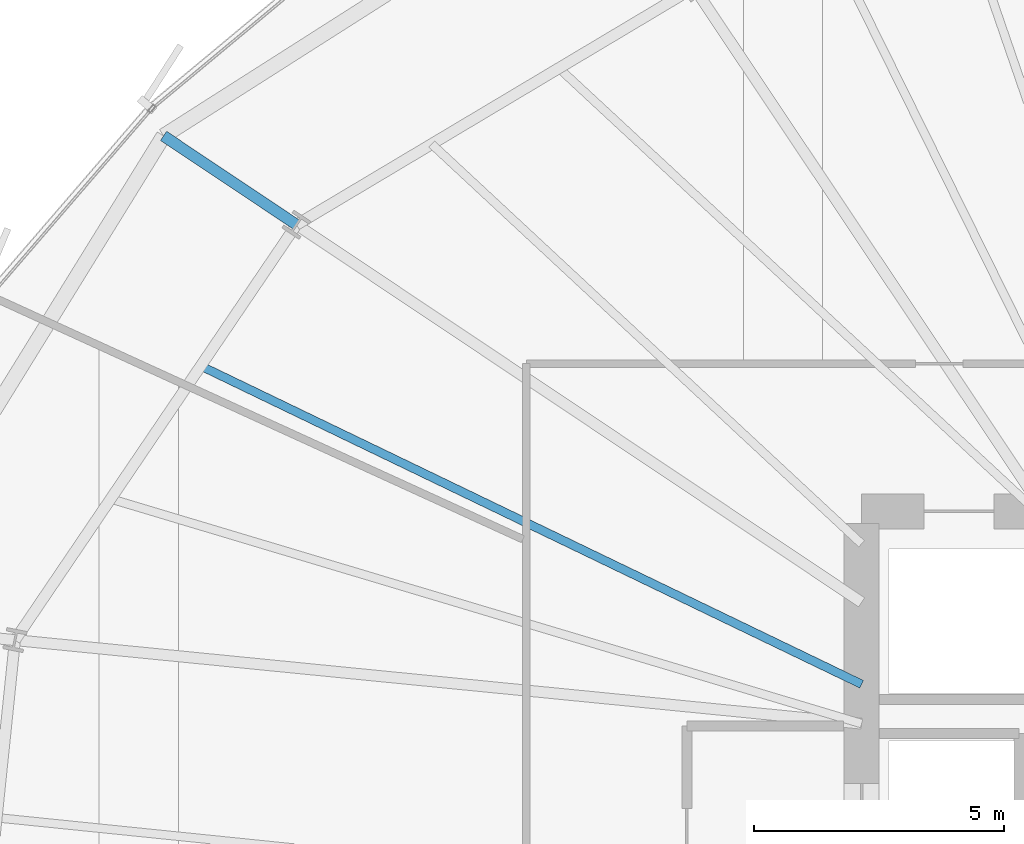
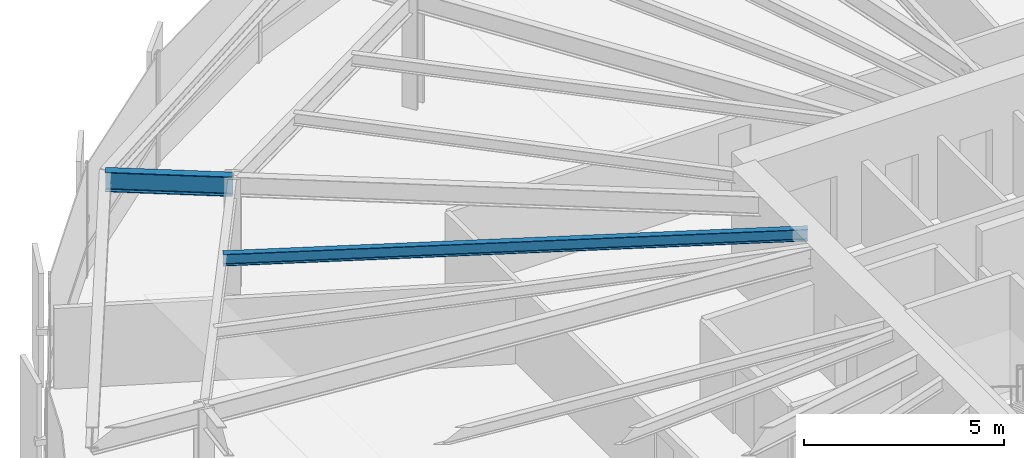
# One storey, part 17 of 35: 2 beams.
"""IFC4 building model written with IfcOpenShell, lengths in metres."""

from ifc_helpers import new_model, si_unit, direction, frame, origin, origin_2d, place, context, subcontext, project, spatial, i_section, extrude, source, transform, mapped, material, material_profile, profile_set, type_object, element, save


model = new_model("IFC4")

# Units and contexts
model_context = context("Model", 3, precision=1e-05, world=origin(), true_north=direction((0.0, 1.0)))
body_context = subcontext(model_context, "Body", "Model", "MODEL_VIEW")
ifc_project = project(units=[si_unit("LENGTHUNIT", "METRE"), si_unit("AREAUNIT", "SQUARE_METRE"), si_unit("VOLUMEUNIT", "CUBIC_METRE"), si_unit("PLANEANGLEUNIT", "RADIAN"), si_unit("MASSUNIT", "GRAM", prefix="KILO"), si_unit("THERMODYNAMICTEMPERATUREUNIT", "KELVIN")], contexts=[model_context])

# Site, building, storey
site_placement = place(None, origin())
site = spatial("IfcSite", under=ifc_project, at=site_placement, CompositionType="ELEMENT")
building_placement = place(site_placement, origin())
building = spatial("IfcBuilding", under=site, at=building_placement, Name="Kethvar Cultural Tower", CompositionType="ELEMENT")
storey_placement = place(building_placement, frame((0.0, 0.0, 71.39990234375)))
storey = spatial("IfcBuildingStorey", under=building, at=storey_placement, Name="L17", CompositionType="ELEMENT", Elevation=71.39990234375)

# Beams
ifc_material = material(Name="Steel S355J2", Category="steel")
ifc_material_profile_1 = material_profile(ifc_material, i_section(OverallWidth=0.219970703125, OverallDepth=0.60009765625, WebThickness=0.011962890625, FlangeThickness=0.01904296875, FilletRadius=0.02392578125, at=origin_2d()), Name="Steel S355J2 — IPE600")
ifc_profile_set_1 = profile_set([ifc_material_profile_1], Name="Steel S355J2 — IPE600")
beam_type_1 = type_object("IfcBeamType", Name="BM-IPE600", PredefinedType="BEAM", material=ifc_profile_set_1)
shared_shape_1 = source(origin(), body_context, "Body", "SweptSolid", [
    extrude(i_section(OverallWidth=0.219970703125, OverallDepth=0.60009765625, WebThickness=0.011962890625, FlangeThickness=0.01904296875, FilletRadius=0.02392578125, at=origin_2d()), origin(), (0.0, 0.0, 1.0), 3.199951171875),
])
beam_1_placement = place(storey_placement, frame((26.6845703125, 41.24072265625, 3.238037109375), z_axis=(-0.831462943996, 0.555580212716, 0.0), x_axis=(-0.555580212716, -0.831462943996, 0.0)))
element("IfcBeam", 1, at=beam_1_placement, inside=storey, type_object=beam_type_1, Name="L17 Perimeter Cantilever Beam RC-07", PredefinedType="BEAM", context=body_context, shape_type="MappedRepresentation", body=[
    mapped(shared_shape_1, transform((0.0, 0.0, 0.0), scale=1.0)),
])
ifc_material_profile_2 = material_profile(ifc_material, i_section(OverallWidth=0.169921875, OverallDepth=0.360107421875, WebThickness=0.008056640625, FlangeThickness=0.0126953125, FilletRadius=0.01806640625, at=origin_2d()), Name="Steel S355J2 — IPE360")
ifc_profile_set_2 = profile_set([ifc_material_profile_2], Name="Steel S355J2 — IPE360")
beam_type_2 = type_object("IfcBeamType", Name="BM-J360", PredefinedType="JOIST", material=ifc_profile_set_2)
shared_shape_2 = source(origin(), body_context, "Body", "SweptSolid", [
    extrude(i_section(OverallWidth=0.169921875, OverallDepth=0.360107421875, WebThickness=0.008056640625, FlangeThickness=0.0126953125, FilletRadius=0.01806640625, at=origin_2d()), origin(), (0.0, 0.0, 1.0), 14.687255859375),
])
beam_2_placement = place(storey_placement, frame((38.0, 32.038818359375, 3.358154296875), z_axis=(-0.900928984091, 0.433966548971, 0.0), x_axis=(-0.433966548971, -0.900928984091, 0.0)))
element("IfcBeam", 2, at=beam_2_placement, inside=storey, type_object=beam_type_2, Name="L17 Composite Floor Joist J-07A", PredefinedType="JOIST", context=body_context, shape_type="MappedRepresentation", body=[
    mapped(shared_shape_2, transform((0.0, 0.0, 0.0), scale=1.0)),
])

save(model, "model.ifc")
